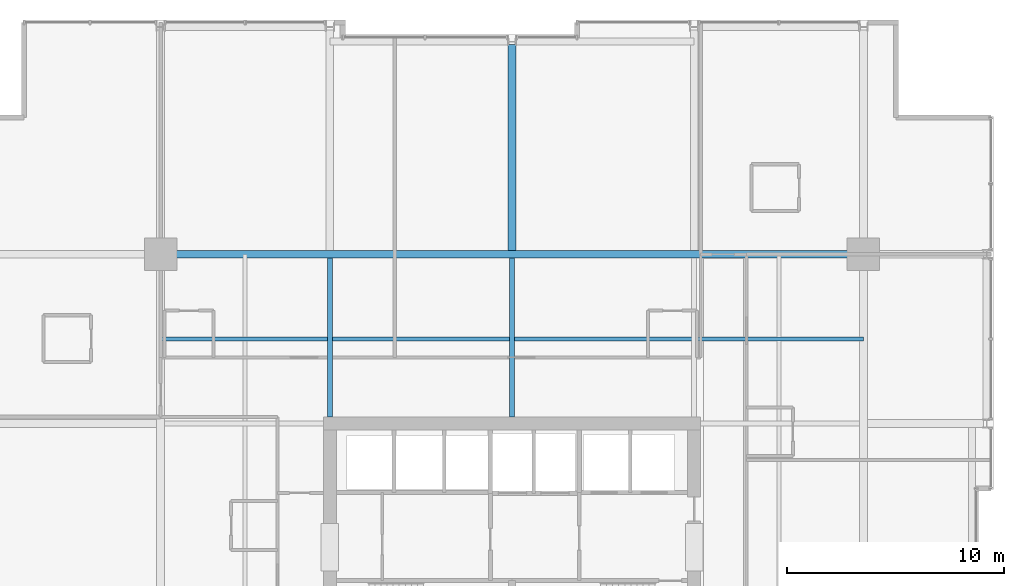
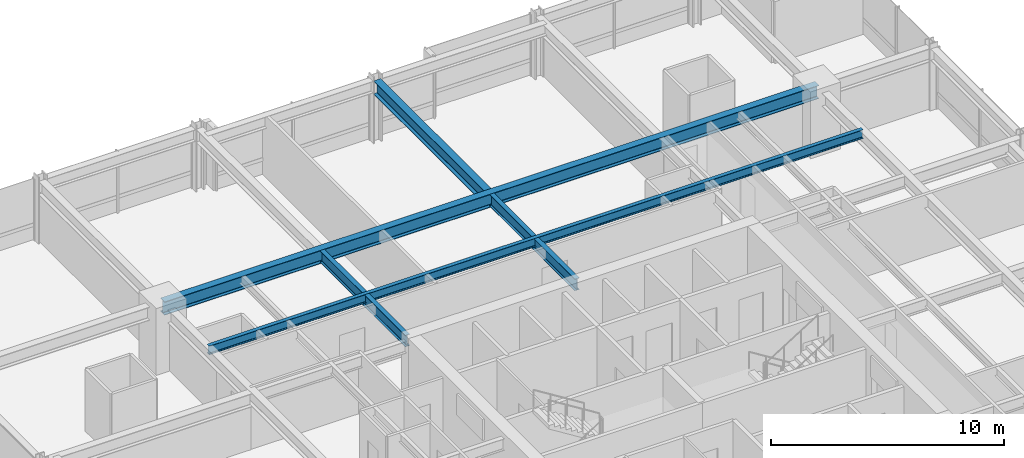
# One storey, part 19 of 33: 5 beams.
"""IFC4 building model written with IfcOpenShell, lengths in metres."""

from ifc_helpers import new_model, si_unit, direction, frame, origin, origin_2d, place, context, subcontext, project, spatial, i_section, extrude, material, material_profile, profile_set, type_object, element, save


model = new_model("IFC4")

# Units and contexts
model_context = context("Model", 3, precision=1e-05, world=origin(), true_north=direction((0.0, 1.0)))
body_context = subcontext(model_context, "Body", "Model", "MODEL_VIEW")
ifc_project = project(units=[si_unit("LENGTHUNIT", "METRE"), si_unit("AREAUNIT", "SQUARE_METRE"), si_unit("VOLUMEUNIT", "CUBIC_METRE"), si_unit("PLANEANGLEUNIT", "RADIAN"), si_unit("MASSUNIT", "GRAM", prefix="KILO")], contexts=[model_context])

# Site, building, storey
site_placement = place(None, origin())
site = spatial("IfcSite", under=ifc_project, at=site_placement, CompositionType="ELEMENT")
building_placement = place(site_placement, origin())
building = spatial("IfcBuilding", under=site, at=building_placement, Name="Drelvath Grand Hotel", CompositionType="ELEMENT")
storey_placement = place(building_placement, frame((0.0, 0.0, 119.800048828125)))
storey = spatial("IfcBuildingStorey", under=building, at=storey_placement, Name="L30", CompositionType="ELEMENT", Elevation=119.800048828125)

# Beams
ifc_material = material(Name="Steel ASTM A992 Gr 50", Category="steel")
ifc_material_profile_1 = material_profile(ifc_material, i_section(OverallWidth=0.19140625, OverallDepth=0.4599609375, WebThickness=0.010009765625, FlangeThickness=0.01611328125, FilletRadius=0.01611328125, at=origin_2d()), Name="W18X55")
ifc_profile_set_1 = profile_set([ifc_material_profile_1], Name="Steel ASTM A992 Gr 50")
beam_type_1 = type_object("IfcBeamType", Name="Composite Floor Joist W18X55", PredefinedType="JOIST", material=ifc_profile_set_1)
beam_1_placement = place(storey_placement, frame((-16.199951171875, 39.300048828125, 3.010009765625), z_axis=(1.0, 0.0, 0.0), x_axis=(0.0, 1.0, 0.0)))
element("IfcBeam", 1, at=beam_1_placement, inside=storey, type_object=beam_type_1, Name="L30 Floor Joist J2", PredefinedType="JOIST", context=body_context, shape_type="SweptSolid", body=[
    extrude(i_section(OverallWidth=0.19140625, OverallDepth=0.4599609375, WebThickness=0.010009765625, FlangeThickness=0.01611328125, FilletRadius=0.01611328125, at=origin_2d()), origin(), (0.0, 0.0, 1.0), 32.39990234375),
])
ifc_material_profile_2 = material_profile(ifc_material, i_section(OverallWidth=0.228271484375, OverallDepth=0.607666015625, WebThickness=0.01123046875, FlangeThickness=0.017333984375, FilletRadius=0.02001953125, at=origin_2d()), Name="W24X76")
ifc_profile_set_2 = profile_set([ifc_material_profile_2], Name="Steel ASTM A992 Gr 50")
beam_type_2 = type_object("IfcBeamType", Name="Primary Floor Girder W24X76", PredefinedType="BEAM", material=ifc_profile_set_2)
for number, where, z_axis, x_axis, name in (
    (2, (-8.39990234375, 35.699951171875, 2.93603515625), (0.0, 1.0, 0.0), (-1.0, 0.0, 0.0), "L30 North Core Tie 4"),
    (3, (0.0, 35.699951171875, 2.93603515625), (0.0, 1.0, 0.0), (-1.0, 0.0, 0.0), "L30 North Core Tie 5"),
):
    element("IfcBeam", number, at=place(storey_placement, frame(where, z_axis=z_axis, x_axis=x_axis)), inside=storey, type_object=beam_type_2, Name=name, PredefinedType="BEAM", context=body_context, shape_type="SweptSolid", body=[
        extrude(i_section(OverallWidth=0.228271484375, OverallDepth=0.607666015625, WebThickness=0.01123046875, FlangeThickness=0.017333984375, FilletRadius=0.02001953125, at=origin_2d()), origin(), (0.0, 0.0, 1.0), 7.32275390625),
    ])
ifc_material_profile_3 = material_profile(ifc_material, i_section(OverallWidth=0.354736328125, OverallDepth=0.695556640625, WebThickness=0.015380859375, FlangeThickness=0.025146484375, FilletRadius=0.02392578125, at=origin_2d()), Name="W27X146")
ifc_profile_set_3 = profile_set([ifc_material_profile_3], Name="Steel ASTM A992 Gr 50")
beam_type_3 = type_object("IfcBeamType", Name="Primary Floor Girder W27X146", PredefinedType="BEAM", material=ifc_profile_set_3)
beam_2_placement = place(storey_placement, frame((-16.199951171875, 43.199951171875, 2.892333984375), z_axis=(1.0, 0.0, 0.0), x_axis=(0.0, 1.0, 0.0)))
element("IfcBeam", 4, at=beam_2_placement, inside=storey, type_object=beam_type_3, Name="L30 Mega Ring Girder North", PredefinedType="BEAM", context=body_context, shape_type="SweptSolid", body=[
    extrude(i_section(OverallWidth=0.354736328125, OverallDepth=0.695556640625, WebThickness=0.015380859375, FlangeThickness=0.025146484375, FilletRadius=0.02392578125, at=origin_2d()), origin(), (0.0, 0.0, 1.0), 32.39990234375),
])
beam_3_placement = place(storey_placement, frame((0.0, 43.37744140625, 2.892333984375), z_axis=(0.0, 1.0, 0.0), x_axis=(-1.0, 0.0, 0.0)))
element("IfcBeam", 5, at=beam_3_placement, inside=storey, type_object=beam_type_3, Name="L30 North Wing Girder 5", PredefinedType="BEAM", context=body_context, shape_type="SweptSolid", body=[
    extrude(i_section(OverallWidth=0.354736328125, OverallDepth=0.695556640625, WebThickness=0.015380859375, FlangeThickness=0.025146484375, FilletRadius=0.02392578125, at=origin_2d()), origin(), (0.0, 0.0, 1.0), 9.482666015625),
])

save(model, "model.ifc")
